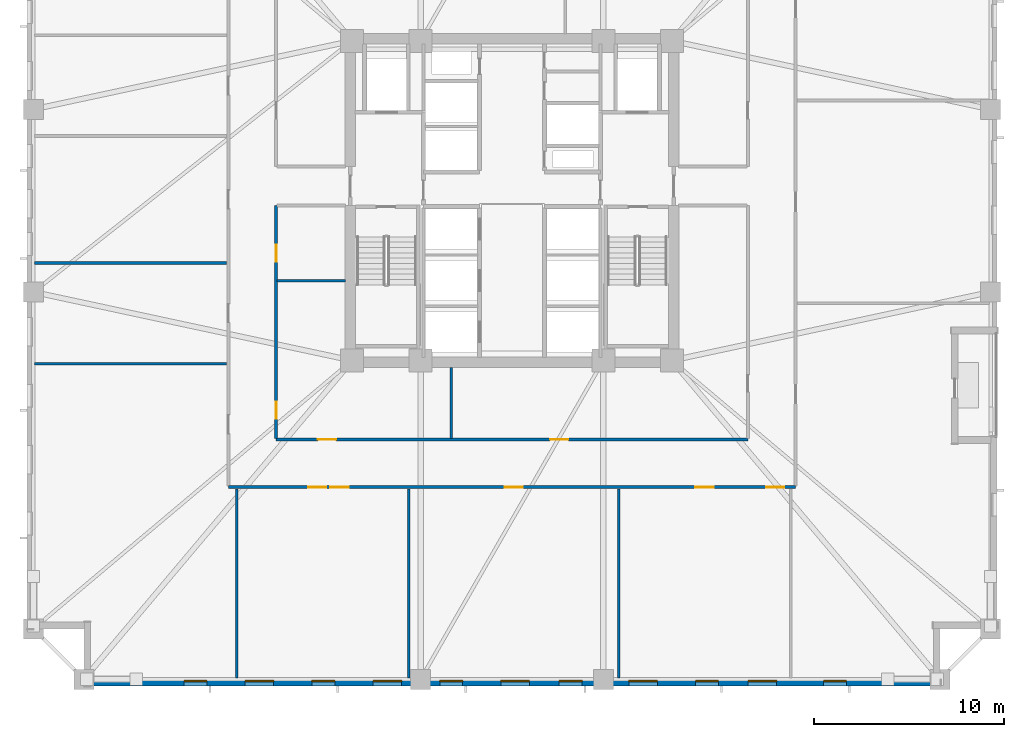
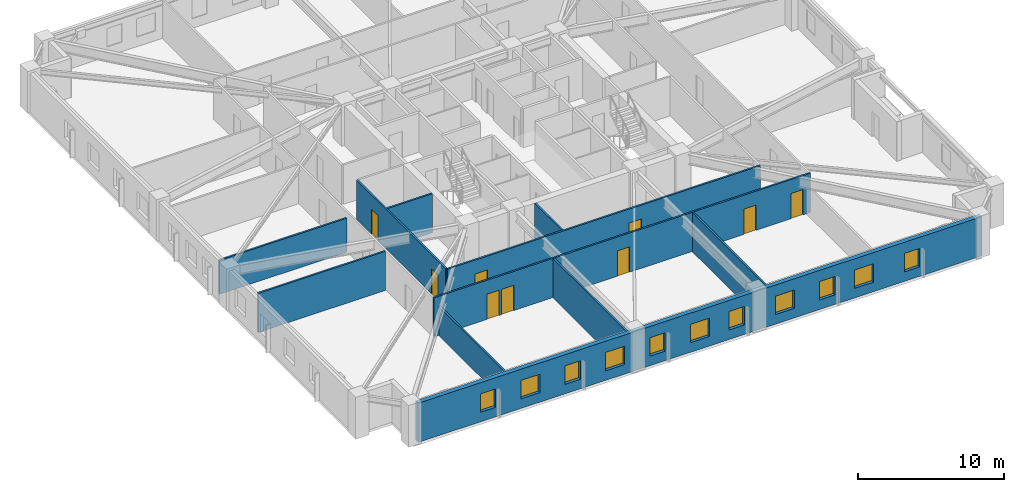
# One storey, part 2 of 11: 11 walls, 11 windows, 9 doors, 20 openings.
"""IFC4 building model written with IfcOpenShell, lengths in metres."""

from ifc_helpers import new_model, si_unit, direction, frame, frame_2d, origin, place, context, subcontext, project, spatial, rectangle, extrude, material, layer, layer_set, type_object, element, fill, save


model = new_model("IFC4")

# Units and contexts
model_context = context("Model", 3, precision=1e-05, world=origin(), true_north=direction((0.0, 1.0)))
body_context = subcontext(model_context, "Body", "Model", "MODEL_VIEW")
ifc_project = project(units=[si_unit("LENGTHUNIT", "METRE"), si_unit("AREAUNIT", "SQUARE_METRE"), si_unit("VOLUMEUNIT", "CUBIC_METRE"), si_unit("PLANEANGLEUNIT", "RADIAN"), si_unit("MASSUNIT", "GRAM", prefix="KILO")], contexts=[model_context])

# Site, building, storey
site_placement = place(None, origin())
site = spatial("IfcSite", under=ifc_project, at=site_placement, CompositionType="ELEMENT")
building_placement = place(site_placement, origin())
building = spatial("IfcBuilding", under=site, at=building_placement, Name="Cairnveth Concourse Tower", CompositionType="ELEMENT")
storey_placement = place(building_placement, frame((0.0, 0.0, 55.0)))
storey = spatial("IfcBuildingStorey", under=building, at=storey_placement, Name="L14", CompositionType="ELEMENT", Elevation=55.0)

# Wall, openings, doors
ifc_material_1 = material(Name="Gypsum Plasterboard Partition", Category="gypsum")
ifc_layer_1 = layer(ifc_material_1, 0.139892578125)
ifc_layer_set_1 = layer_set([ifc_layer_1], Name="Gypsum Plasterboard Partition")
wall_type_1 = type_object("IfcWallType", Name="GYPSUM STUD PARTITION 140", PredefinedType="PARTITIONING", material=ifc_layer_set_1)
wall_1_placement = place(storey_placement, frame((37.10009765625, 23.949951171875, 0.0), z_axis=(0.0, 0.0, 1.0), x_axis=(1.0, 0.0, 0.0)))
wall_1 = element("IfcWall", 1, at=wall_1_placement, inside=storey, type_object=wall_type_1, Name="Interior Wall IW-L14-038", PredefinedType="PARTITIONING", context=body_context, shape_type="SweptSolid", body=[
    extrude(rectangle(XDim=29.7998046875, YDim=0.139892578125, at=frame_2d((14.89990234375, 0.0))), origin(), (0.0, 0.0, 1.0), 3.280029296875),
])
opening_1_placement = place(wall_1_placement, frame((4.19140625, 0.0, 0.0)))
opening_1 = element("IfcOpeningElement", 2, at=opening_1_placement, cuts=wall_1, Name="Opening ID11", PredefinedType="OPENING", context=body_context, shape_type="SweptSolid", body=[
    extrude(rectangle(XDim=0.9599609375, YDim=2.1201171875, at=frame_2d((0.47998046875, 1.06005859375))), frame((0.0, 0.079833984375, 0.0), z_axis=(0.0, -1.0, 0.0), x_axis=(1.0, 0.0, 0.0)), (0.0, 0.0, 1.0), 0.159912109375),
])
opening_2_placement = place(wall_1_placement, frame((5.35791015625, 0.0, 0.0)))
opening_2 = element("IfcOpeningElement", 3, at=opening_2_placement, cuts=wall_1, Name="Opening ID11", PredefinedType="OPENING", context=body_context, shape_type="SweptSolid", body=[
    extrude(rectangle(XDim=0.9599609375, YDim=2.1201171875, at=frame_2d((0.47998046875, 1.06005859375))), frame((0.0, 0.079833984375, 0.0), z_axis=(0.0, -1.0, 0.0), x_axis=(1.0, 0.0, 0.0)), (0.0, 0.0, 1.0), 0.159912109375),
])
opening_3_placement = place(wall_1_placement, frame((14.510009765625, 0.0, 0.0)))
opening_3 = element("IfcOpeningElement", 4, at=opening_3_placement, cuts=wall_1, Name="Opening ID11", PredefinedType="OPENING", context=body_context, shape_type="SweptSolid", body=[
    extrude(rectangle(XDim=0.9599609375, YDim=2.1201171875, at=frame_2d((0.47998046875, 1.06005859375))), frame((0.0, 0.079833984375, 0.0), z_axis=(0.0, -1.0, 0.0), x_axis=(1.0, 0.0, 0.0)), (0.0, 0.0, 1.0), 0.159912109375),
])
opening_4_placement = place(wall_1_placement, frame((24.5419921875, 0.0, 0.0)))
opening_4 = element("IfcOpeningElement", 5, at=opening_4_placement, cuts=wall_1, Name="Opening ID11", PredefinedType="OPENING", context=body_context, shape_type="SweptSolid", body=[
    extrude(rectangle(XDim=0.9599609375, YDim=2.1201171875, at=frame_2d((0.47998046875, 1.06005859375))), frame((0.0, 0.079833984375, 0.0), z_axis=(0.0, -1.0, 0.0), x_axis=(1.0, 0.0, 0.0)), (0.0, 0.0, 1.0), 0.159912109375),
])
opening_5_placement = place(wall_1_placement, frame((28.260009765625, 0.0, 0.0)))
opening_5 = element("IfcOpeningElement", 6, at=opening_5_placement, cuts=wall_1, Name="Opening ID11", PredefinedType="OPENING", context=body_context, shape_type="SweptSolid", body=[
    extrude(rectangle(XDim=0.9599609375, YDim=2.1201171875, at=frame_2d((0.47998046875, 1.06005859375))), frame((0.0, 0.079833984375, 0.0), z_axis=(0.0, -1.0, 0.0), x_axis=(1.0, 0.0, 0.0)), (0.0, 0.0, 1.0), 0.159912109375),
])
ifc_material_2 = material(Name="Solid Core Hardwood Timber Leaf", Category="wood")
door_type_1 = type_object("IfcDoorType", Name="INTERIOR SINGLE DOOR 960X2150", OperationType="NOTDEFINED", PredefinedType="DOOR", material=ifc_material_2)
door_1_placement = place(opening_1_placement, origin())
door_1 = element("IfcDoor", 7, at=door_1_placement, inside=storey, type_object=door_type_1, Name="Office Door L14-S1", OperationType="SINGLE_SWING_LEFT", OverallHeight=2.1201171875, OverallWidth=0.9599609375, PredefinedType="DOOR", context=body_context, shape_type="SweptSolid", body=[
    extrude(rectangle(XDim=0.9599609375, YDim=2.1201171875, at=frame_2d((0.47998046875, 1.06005859375))), frame((0.0, 0.02490234375, 0.0), z_axis=(0.0, -1.0, 0.0), x_axis=(1.0, 0.0, 0.0)), (0.0, 0.0, 1.0), 0.050048828125),
])
fill(opening_1, door_1)
door_2_placement = place(opening_2_placement, origin())
door_2 = element("IfcDoor", 8, at=door_2_placement, inside=storey, type_object=door_type_1, Name="Office Door L14-S2", OperationType="SINGLE_SWING_RIGHT", OverallHeight=2.1201171875, OverallWidth=0.9599609375, PredefinedType="DOOR", context=body_context, shape_type="SweptSolid", body=[
    extrude(rectangle(XDim=0.9599609375, YDim=2.1201171875, at=frame_2d((0.47998046875, 1.06005859375))), frame((0.0, 0.02490234375, 0.0), z_axis=(0.0, -1.0, 0.0), x_axis=(1.0, 0.0, 0.0)), (0.0, 0.0, 1.0), 0.050048828125),
])
fill(opening_2, door_2)
door_3_placement = place(opening_3_placement, origin())
door_3 = element("IfcDoor", 9, at=door_3_placement, inside=storey, type_object=door_type_1, Name="Office Door L14-S3", OperationType="SINGLE_SWING_LEFT", OverallHeight=2.1201171875, OverallWidth=0.9599609375, PredefinedType="DOOR", context=body_context, shape_type="SweptSolid", body=[
    extrude(rectangle(XDim=0.9599609375, YDim=2.1201171875, at=frame_2d((0.47998046875, 1.06005859375))), frame((0.0, 0.02490234375, 0.0), z_axis=(0.0, -1.0, 0.0), x_axis=(1.0, 0.0, 0.0)), (0.0, 0.0, 1.0), 0.050048828125),
])
fill(opening_3, door_3)
door_4_placement = place(opening_4_placement, origin())
door_4 = element("IfcDoor", 10, at=door_4_placement, inside=storey, type_object=door_type_1, Name="Office Door L14-S4", OperationType="SINGLE_SWING_RIGHT", OverallHeight=2.1201171875, OverallWidth=0.9599609375, PredefinedType="DOOR", context=body_context, shape_type="SweptSolid", body=[
    extrude(rectangle(XDim=0.9599609375, YDim=2.1201171875, at=frame_2d((0.47998046875, 1.06005859375))), frame((0.0, 0.02490234375, 0.0), z_axis=(0.0, -1.0, 0.0), x_axis=(1.0, 0.0, 0.0)), (0.0, 0.0, 1.0), 0.050048828125),
])
fill(opening_4, door_4)
door_5_placement = place(opening_5_placement, origin())
door_5 = element("IfcDoor", 11, at=door_5_placement, inside=storey, type_object=door_type_1, Name="Office Door L14-S5", OperationType="SINGLE_SWING_LEFT", OverallHeight=2.1201171875, OverallWidth=0.9599609375, PredefinedType="DOOR", context=body_context, shape_type="SweptSolid", body=[
    extrude(rectangle(XDim=0.9599609375, YDim=2.1201171875, at=frame_2d((0.47998046875, 1.06005859375))), frame((0.0, 0.02490234375, 0.0), z_axis=(0.0, -1.0, 0.0), x_axis=(1.0, 0.0, 0.0)), (0.0, 0.0, 1.0), 0.050048828125),
])
fill(opening_5, door_5)

wall_2_placement = place(storey_placement, frame((39.60009765625, 26.449951171875, 0.0), z_axis=(0.0, 0.0, 1.0), x_axis=(1.0, 0.0, 0.0)))
wall_2 = element("IfcWall", 12, at=wall_2_placement, inside=storey, type_object=wall_type_1, Name="Interior Wall IW-L14-042", PredefinedType="PARTITIONING", context=body_context, shape_type="SweptSolid", body=[
    extrude(rectangle(XDim=24.7998046875, YDim=0.139892578125, at=frame_2d((12.39990234375, 0.0))), origin(), (0.0, 0.0, 1.0), 3.280029296875),
])
opening_6_placement = place(wall_2_placement, frame((2.199951171875, 0.0, 0.0)))
opening_6 = element("IfcOpeningElement", 13, at=opening_6_placement, cuts=wall_2, Name="Opening ID11", PredefinedType="OPENING", context=body_context, shape_type="SweptSolid", body=[
    extrude(rectangle(XDim=0.9599609375, YDim=2.1201171875, at=frame_2d((0.47998046875, 1.06005859375))), frame((0.0, 0.079833984375, 0.0), z_axis=(0.0, -1.0, 0.0), x_axis=(1.0, 0.0, 0.0)), (0.0, 0.0, 1.0), 0.159912109375),
])
opening_7_placement = place(wall_2_placement, frame((14.39990234375, 0.0, 0.0)))
opening_7 = element("IfcOpeningElement", 14, at=opening_7_placement, cuts=wall_2, Name="Opening ID11", PredefinedType="OPENING", context=body_context, shape_type="SweptSolid", body=[
    extrude(rectangle(XDim=0.9599609375, YDim=2.1201171875, at=frame_2d((0.47998046875, 1.06005859375))), frame((0.0, 0.079833984375, 0.0), z_axis=(0.0, -1.0, 0.0), x_axis=(1.0, 0.0, 0.0)), (0.0, 0.0, 1.0), 0.159912109375),
])
door_6_placement = place(opening_6_placement, origin())
door_6 = element("IfcDoor", 15, at=door_6_placement, inside=storey, type_object=door_type_1, Name="Interior Door DR-L14-014", OperationType="SINGLE_SWING_RIGHT", OverallHeight=2.1201171875, OverallWidth=0.9599609375, PredefinedType="DOOR", context=body_context, shape_type="SweptSolid", body=[
    extrude(rectangle(XDim=0.9599609375, YDim=2.1201171875, at=frame_2d((0.47998046875, 1.06005859375))), frame((0.0, 0.02490234375, 0.0), z_axis=(0.0, -1.0, 0.0), x_axis=(1.0, 0.0, 0.0)), (0.0, 0.0, 1.0), 0.050048828125),
])
fill(opening_6, door_6)
door_7_placement = place(opening_7_placement, origin())
door_7 = element("IfcDoor", 16, at=door_7_placement, inside=storey, type_object=door_type_1, Name="Interior Door DR-L14-015", OperationType="SINGLE_SWING_LEFT", OverallHeight=2.1201171875, OverallWidth=0.9599609375, PredefinedType="DOOR", context=body_context, shape_type="SweptSolid", body=[
    extrude(rectangle(XDim=0.9599609375, YDim=2.1201171875, at=frame_2d((0.47998046875, 1.06005859375))), frame((0.0, 0.02490234375, 0.0), z_axis=(0.0, -1.0, 0.0), x_axis=(1.0, 0.0, 0.0)), (0.0, 0.0, 1.0), 0.050048828125),
])
fill(opening_7, door_7)

wall_3_placement = place(storey_placement, frame((39.60009765625, 26.5048828125, 0.0), z_axis=(0.0, 0.0, 1.0), x_axis=(0.0, 1.0, 0.0)))
wall_3 = element("IfcWall", 17, at=wall_3_placement, inside=storey, type_object=wall_type_1, Name="Interior Wall IW-L14-044", PredefinedType="PARTITIONING", context=body_context, shape_type="SweptSolid", body=[
    extrude(rectangle(XDim=12.2451171875, YDim=0.139892578125, at=frame_2d((6.12255859375, 0.0))), origin(), (0.0, 0.0, 1.0), 3.280029296875),
])
opening_8_placement = place(wall_3_placement, frame((1.044921875, 0.0, 0.0)))
opening_8 = element("IfcOpeningElement", 18, at=opening_8_placement, cuts=wall_3, Name="Opening ID18", PredefinedType="OPENING", context=body_context, shape_type="SweptSolid", body=[
    extrude(rectangle(XDim=0.8798828125, YDim=2.10009765625, at=frame_2d((0.43994140625, 1.050048828125))), frame((0.0, 0.079833984375, 0.0), z_axis=(0.0, -1.0, 0.0), x_axis=(1.0, 0.0, 0.0)), (0.0, 0.0, 1.0), 0.159912109375),
])
opening_9_placement = place(wall_3_placement, frame((9.294921875, 0.0, 0.0)))
opening_9 = element("IfcOpeningElement", 19, at=opening_9_placement, cuts=wall_3, Name="Opening ID18", PredefinedType="OPENING", context=body_context, shape_type="SweptSolid", body=[
    extrude(rectangle(XDim=0.8798828125, YDim=2.10009765625, at=frame_2d((0.43994140625, 1.050048828125))), frame((0.0, 0.079833984375, 0.0), z_axis=(0.0, -1.0, 0.0), x_axis=(1.0, 0.0, 0.0)), (0.0, 0.0, 1.0), 0.159912109375),
])
door_type_2 = type_object("IfcDoorType", Name="INTERIOR SINGLE DOOR 880X2100", OperationType="NOTDEFINED", PredefinedType="DOOR", material=ifc_material_2)
door_8_placement = place(opening_8_placement, origin())
door_8 = element("IfcDoor", 20, at=door_8_placement, inside=storey, type_object=door_type_2, Name="Interior Door DR-L14-018", OperationType="SINGLE_SWING_RIGHT", OverallHeight=2.10009765625, OverallWidth=0.8798828125, PredefinedType="DOOR", context=body_context, shape_type="SweptSolid", body=[
    extrude(rectangle(XDim=0.8798828125, YDim=2.10009765625, at=frame_2d((0.43994140625, 1.050048828125))), frame((0.0, 0.02490234375, 0.0), z_axis=(0.0, -1.0, 0.0), x_axis=(1.0, 0.0, 0.0)), (0.0, 0.0, 1.0), 0.050048828125),
])
fill(opening_8, door_8)
door_9_placement = place(opening_9_placement, origin())
door_9 = element("IfcDoor", 21, at=door_9_placement, inside=storey, type_object=door_type_2, Name="Interior Door DR-L14-019", OperationType="SINGLE_SWING_LEFT", OverallHeight=2.10009765625, OverallWidth=0.8798828125, PredefinedType="DOOR", context=body_context, shape_type="SweptSolid", body=[
    extrude(rectangle(XDim=0.8798828125, YDim=2.10009765625, at=frame_2d((0.43994140625, 1.050048828125))), frame((0.0, 0.02490234375, 0.0), z_axis=(0.0, -1.0, 0.0), x_axis=(1.0, 0.0, 0.0)), (0.0, 0.0, 1.0), 0.050048828125),
])
fill(opening_9, door_9)

# Walls
wall_4_placement = place(storey_placement, frame((48.800048828125, 26.5048828125, 0.0), z_axis=(0.0, 0.0, 1.0), x_axis=(0.0, 1.0, 0.0)))
element("IfcWall", 22, at=wall_4_placement, inside=storey, type_object=wall_type_1, Name="Interior Wall IW-L14-052", PredefinedType="PARTITIONING", context=body_context, shape_type="SweptSolid", body=[
    extrude(rectangle(XDim=3.735107421875, YDim=0.139892578125, at=frame_2d((1.86767578125, 0.0))), origin(), (0.0, 0.0, 1.0), 3.280029296875),
])
wall_5_placement = place(storey_placement, frame((39.655029296875, 34.800048828125, 0.0), z_axis=(0.0, 0.0, 1.0), x_axis=(1.0, 0.0, 0.0)))
element("IfcWall", 23, at=wall_5_placement, inside=storey, type_object=wall_type_1, Name="Interior Wall IW-L14-054", PredefinedType="PARTITIONING", context=body_context, shape_type="SweptSolid", body=[
    extrude(rectangle(XDim=3.5849609375, YDim=0.139892578125, at=frame_2d((1.79248046875, 0.0))), origin(), (0.0, 0.0, 1.0), 3.280029296875),
])
wall_6_placement = place(storey_placement, frame((37.537109375, 13.919921875, 0.0), z_axis=(0.0, 0.0, 1.0), x_axis=(0.0, 1.0, 0.0)))
element("IfcWall", 24, at=wall_6_placement, inside=storey, type_object=wall_type_1, Name="Interior Wall IW-L14-055", PredefinedType="PARTITIONING", context=body_context, shape_type="SweptSolid", body=[
    extrude(rectangle(XDim=9.93017578125, YDim=0.139892578125, at=frame_2d((4.965087890625, 0.0))), origin(), (0.0, 0.0, 1.0), 2.43896484375),
])
for number, where, z_axis, x_axis, name in (
    (25, (46.5791015625, 13.919921875, 0.0), (0.0, 0.0, 1.0), (0.0, 1.0, 0.0), "Interior Wall IW-L14-056"),
    (26, (57.60107421875, 13.919921875, 0.0), (0.0, 0.0, 1.0), (0.0, 1.0, 0.0), "Interior Wall IW-L14-057"),
):
    element("IfcWall", number, at=place(storey_placement, frame(where, z_axis=z_axis, x_axis=x_axis)), inside=storey, type_object=wall_type_1, Name=name, PredefinedType="PARTITIONING", context=body_context, shape_type="SweptSolid", body=[
        extrude(rectangle(XDim=9.93017578125, YDim=0.139892578125, at=frame_2d((4.965087890625, 0.0))), origin(), (0.0, 0.0, 1.0), 3.280029296875),
    ])
wall_7_placement = place(storey_placement, frame((26.919921875, 30.439453125, 0.0), z_axis=(0.0, 0.0, 1.0), x_axis=(1.0, 0.0, 0.0)))
element("IfcWall", 27, at=wall_7_placement, inside=storey, type_object=wall_type_1, Name="Interior Wall IW-L14-062", PredefinedType="PARTITIONING", context=body_context, shape_type="SweptSolid", body=[
    extrude(rectangle(XDim=10.080078125, YDim=0.139892578125, at=frame_2d((5.0400390625, 0.0))), origin(), (0.0, 0.0, 1.0), 3.280029296875),
])
wall_8_placement = place(storey_placement, frame((26.919921875, 35.7265625, 0.0), z_axis=(0.0, 0.0, 1.0), x_axis=(1.0, 0.0, 0.0)))
element("IfcWall", 28, at=wall_8_placement, inside=storey, type_object=wall_type_1, Name="Interior Wall IW-L14-063", PredefinedType="PARTITIONING", context=body_context, shape_type="SweptSolid", body=[
    extrude(rectangle(XDim=10.080078125, YDim=0.139892578125, at=frame_2d((5.0400390625, 0.0))), origin(), (0.0, 0.0, 1.0), 2.84912109375),
])

# Wall, openings, windows
ifc_material_3 = material(Name="Hawthorn Red-Ochre Fired Clay Brick Masonry", Category="masonry")
ifc_layer_2 = layer(ifc_material_3, 0.360107421875)
ifc_layer_set_2 = layer_set([ifc_layer_2], Name="Hawthorn Red-Ochre Fired Clay Brick Masonry")
wall_type_2 = type_object("IfcWallType", Name="ZONE 1 BRICK PIER SPANDREL WALL 360", PredefinedType="SOLIDWALL", material=ifc_layer_set_2)
wall_9_placement = place(storey_placement, frame((74.5, 13.679931640625, 0.0), z_axis=(0.0, 0.0, 1.0), x_axis=(-1.0, 0.0, 0.0)))
wall_9 = element("IfcWall", 29, at=wall_9_placement, inside=storey, type_object=wall_type_2, Name="Exterior Wall EW-L14-S03", PredefinedType="SOLIDWALL", context=body_context, shape_type="SweptSolid", body=[
    extrude(rectangle(XDim=44.662109375, YDim=0.360107421875, at=frame_2d((22.3310546875, 0.0))), origin(), (0.0, 0.0, 1.0), 3.280029296875),
])
opening_10_placement = place(wall_9_placement, frame((4.93017578125, 0.0, 0.800048828125)))
opening_10 = element("IfcOpeningElement", 30, at=opening_10_placement, cuts=wall_9, Name="Opening W01", PredefinedType="OPENING", context=body_context, shape_type="SweptSolid", body=[
    extrude(rectangle(XDim=1.199951171875, YDim=1.5439453125, at=frame_2d((0.60009765625, 0.77197265625))), frame((0.0, 0.18994140625, 0.0), z_axis=(0.0, -1.0, 0.0), x_axis=(1.0, 0.0, 0.0)), (0.0, 0.0, 1.0), 0.380126953125),
])
opening_11_placement = place(wall_9_placement, frame((8.59033203125, 0.0, 0.800048828125)))
opening_11 = element("IfcOpeningElement", 31, at=opening_11_placement, cuts=wall_9, Name="Opening W03", PredefinedType="OPENING", context=body_context, shape_type="SweptSolid", body=[
    extrude(rectangle(XDim=1.5, YDim=1.5439453125, at=frame_2d((0.75, 0.77197265625))), frame((0.0, 0.18994140625, 0.0), z_axis=(0.0, -1.0, 0.0), x_axis=(1.0, 0.0, 0.0)), (0.0, 0.0, 1.0), 0.380126953125),
])
opening_12_placement = place(wall_9_placement, frame((11.650390625, 0.0, 0.800048828125)))
opening_12 = element("IfcOpeningElement", 32, at=opening_12_placement, cuts=wall_9, Name="Opening W01", PredefinedType="OPENING", context=body_context, shape_type="SweptSolid", body=[
    extrude(rectangle(XDim=1.199951171875, YDim=1.5439453125, at=frame_2d((0.60009765625, 0.77197265625))), frame((0.0, 0.18994140625, 0.0), z_axis=(0.0, -1.0, 0.0), x_axis=(1.0, 0.0, 0.0)), (0.0, 0.0, 1.0), 0.380126953125),
])
opening_13_placement = place(wall_9_placement, frame((14.860595703125, 0.0, 0.800048828125)))
opening_13 = element("IfcOpeningElement", 33, at=opening_13_placement, cuts=wall_9, Name="Opening W03", PredefinedType="OPENING", context=body_context, shape_type="SweptSolid", body=[
    extrude(rectangle(XDim=1.5, YDim=1.5439453125, at=frame_2d((0.75, 0.77197265625))), frame((0.0, 0.18994140625, 0.0), z_axis=(0.0, -1.0, 0.0), x_axis=(1.0, 0.0, 0.0)), (0.0, 0.0, 1.0), 0.380126953125),
])
opening_14_placement = place(wall_9_placement, frame((18.82080078125, 0.0, 0.800048828125)))
opening_14 = element("IfcOpeningElement", 34, at=opening_14_placement, cuts=wall_9, Name="Opening W01", PredefinedType="OPENING", context=body_context, shape_type="SweptSolid", body=[
    extrude(rectangle(XDim=1.199951171875, YDim=1.5439453125, at=frame_2d((0.60009765625, 0.77197265625))), frame((0.0, 0.18994140625, 0.0), z_axis=(0.0, -1.0, 0.0), x_axis=(1.0, 0.0, 0.0)), (0.0, 0.0, 1.0), 0.380126953125),
])
opening_15_placement = place(wall_9_placement, frame((21.5810546875, 0.0, 0.800048828125)))
opening_15 = element("IfcOpeningElement", 35, at=opening_15_placement, cuts=wall_9, Name="Opening W03", PredefinedType="OPENING", context=body_context, shape_type="SweptSolid", body=[
    extrude(rectangle(XDim=1.5, YDim=1.5439453125, at=frame_2d((0.75, 0.77197265625))), frame((0.0, 0.18994140625, 0.0), z_axis=(0.0, -1.0, 0.0), x_axis=(1.0, 0.0, 0.0)), (0.0, 0.0, 1.0), 0.380126953125),
])
opening_16_placement = place(wall_9_placement, frame((25.09130859375, 0.0, 0.800048828125)))
opening_16 = element("IfcOpeningElement", 36, at=opening_16_placement, cuts=wall_9, Name="Opening W01", PredefinedType="OPENING", context=body_context, shape_type="SweptSolid", body=[
    extrude(rectangle(XDim=1.199951171875, YDim=1.5439453125, at=frame_2d((0.60009765625, 0.77197265625))), frame((0.0, 0.18994140625, 0.0), z_axis=(0.0, -1.0, 0.0), x_axis=(1.0, 0.0, 0.0)), (0.0, 0.0, 1.0), 0.380126953125),
])
opening_17_placement = place(wall_9_placement, frame((28.301513671875, 0.0, 0.800048828125)))
opening_17 = element("IfcOpeningElement", 37, at=opening_17_placement, cuts=wall_9, Name="Opening W03", PredefinedType="OPENING", context=body_context, shape_type="SweptSolid", body=[
    extrude(rectangle(XDim=1.5, YDim=1.5439453125, at=frame_2d((0.75, 0.77197265625))), frame((0.0, 0.18994140625, 0.0), z_axis=(0.0, -1.0, 0.0), x_axis=(1.0, 0.0, 0.0)), (0.0, 0.0, 1.0), 0.380126953125),
])
opening_18_placement = place(wall_9_placement, frame((31.8115234375, 0.0, 0.800048828125)))
opening_18 = element("IfcOpeningElement", 38, at=opening_18_placement, cuts=wall_9, Name="Opening W01", PredefinedType="OPENING", context=body_context, shape_type="SweptSolid", body=[
    extrude(rectangle(XDim=1.199951171875, YDim=1.5439453125, at=frame_2d((0.60009765625, 0.77197265625))), frame((0.0, 0.18994140625, 0.0), z_axis=(0.0, -1.0, 0.0), x_axis=(1.0, 0.0, 0.0)), (0.0, 0.0, 1.0), 0.380126953125),
])
opening_19_placement = place(wall_9_placement, frame((35.021728515625, 0.0, 0.800048828125)))
opening_19 = element("IfcOpeningElement", 39, at=opening_19_placement, cuts=wall_9, Name="Opening W03", PredefinedType="OPENING", context=body_context, shape_type="SweptSolid", body=[
    extrude(rectangle(XDim=1.5, YDim=1.5439453125, at=frame_2d((0.75, 0.77197265625))), frame((0.0, 0.18994140625, 0.0), z_axis=(0.0, -1.0, 0.0), x_axis=(1.0, 0.0, 0.0)), (0.0, 0.0, 1.0), 0.380126953125),
])
opening_20_placement = place(wall_9_placement, frame((38.531982421875, 0.0, 0.800048828125)))
opening_20 = element("IfcOpeningElement", 40, at=opening_20_placement, cuts=wall_9, Name="Opening W01", PredefinedType="OPENING", context=body_context, shape_type="SweptSolid", body=[
    extrude(rectangle(XDim=1.199951171875, YDim=1.5439453125, at=frame_2d((0.60009765625, 0.77197265625))), frame((0.0, 0.18994140625, 0.0), z_axis=(0.0, -1.0, 0.0), x_axis=(1.0, 0.0, 0.0)), (0.0, 0.0, 1.0), 0.380126953125),
])
ifc_material_4 = material(Name="Double Glazed Low-E Clear Glass", Category="glass")
window_type_1 = type_object("IfcWindowType", Name="DEEP-SET GOTHIC LANCET WINDOW 1200X1800", PartitioningType="DOUBLE_PANEL_VERTICAL", PredefinedType="WINDOW", material=ifc_material_4)
window_1_placement = place(opening_10_placement, origin())
window_1 = element("IfcWindow", 41, at=window_1_placement, inside=storey, type_object=window_type_1, Name="Gothic Lancet Window L14-3-1", OverallHeight=1.5439453125, OverallWidth=1.199951171875, PartitioningType="SINGLE_PANEL", PredefinedType="WINDOW", context=body_context, shape_type="SweptSolid", body=[
    extrude(rectangle(XDim=1.199951171875, YDim=1.5439453125, at=frame_2d((0.60009765625, 0.77197265625))), frame((0.0, -0.050048828125, 0.0), z_axis=(0.0, -1.0, 0.0), x_axis=(1.0, 0.0, 0.0)), (0.0, 0.0, 1.0), 0.06005859375),
])
fill(opening_10, window_1)
window_2_placement = place(opening_12_placement, origin())
window_2 = element("IfcWindow", 42, at=window_2_placement, inside=storey, type_object=window_type_1, Name="Gothic Lancet Window L14-3-3", OverallHeight=1.5439453125, OverallWidth=1.199951171875, PartitioningType="SINGLE_PANEL", PredefinedType="WINDOW", context=body_context, shape_type="SweptSolid", body=[
    extrude(rectangle(XDim=1.199951171875, YDim=1.5439453125, at=frame_2d((0.60009765625, 0.77197265625))), frame((0.0, -0.050048828125, 0.0), z_axis=(0.0, -1.0, 0.0), x_axis=(1.0, 0.0, 0.0)), (0.0, 0.0, 1.0), 0.06005859375),
])
fill(opening_12, window_2)
window_3_placement = place(opening_14_placement, origin())
window_3 = element("IfcWindow", 43, at=window_3_placement, inside=storey, type_object=window_type_1, Name="Gothic Lancet Window L14-3-5", OverallHeight=1.5439453125, OverallWidth=1.199951171875, PartitioningType="SINGLE_PANEL", PredefinedType="WINDOW", context=body_context, shape_type="SweptSolid", body=[
    extrude(rectangle(XDim=1.199951171875, YDim=1.5439453125, at=frame_2d((0.60009765625, 0.77197265625))), frame((0.0, -0.050048828125, 0.0), z_axis=(0.0, -1.0, 0.0), x_axis=(1.0, 0.0, 0.0)), (0.0, 0.0, 1.0), 0.06005859375),
])
fill(opening_14, window_3)
window_4_placement = place(opening_16_placement, origin())
window_4 = element("IfcWindow", 44, at=window_4_placement, inside=storey, type_object=window_type_1, Name="Gothic Lancet Window L14-3-7", OverallHeight=1.5439453125, OverallWidth=1.199951171875, PartitioningType="SINGLE_PANEL", PredefinedType="WINDOW", context=body_context, shape_type="SweptSolid", body=[
    extrude(rectangle(XDim=1.199951171875, YDim=1.5439453125, at=frame_2d((0.60009765625, 0.77197265625))), frame((0.0, -0.050048828125, 0.0), z_axis=(0.0, -1.0, 0.0), x_axis=(1.0, 0.0, 0.0)), (0.0, 0.0, 1.0), 0.06005859375),
])
fill(opening_16, window_4)
window_5_placement = place(opening_18_placement, origin())
window_5 = element("IfcWindow", 45, at=window_5_placement, inside=storey, type_object=window_type_1, Name="Gothic Lancet Window L14-3-9", OverallHeight=1.5439453125, OverallWidth=1.199951171875, PartitioningType="SINGLE_PANEL", PredefinedType="WINDOW", context=body_context, shape_type="SweptSolid", body=[
    extrude(rectangle(XDim=1.199951171875, YDim=1.5439453125, at=frame_2d((0.60009765625, 0.77197265625))), frame((0.0, -0.050048828125, 0.0), z_axis=(0.0, -1.0, 0.0), x_axis=(1.0, 0.0, 0.0)), (0.0, 0.0, 1.0), 0.06005859375),
])
fill(opening_18, window_5)
window_6_placement = place(opening_20_placement, origin())
window_6 = element("IfcWindow", 46, at=window_6_placement, inside=storey, type_object=window_type_1, Name="Gothic Lancet Window L14-3-11", OverallHeight=1.5439453125, OverallWidth=1.199951171875, PartitioningType="SINGLE_PANEL", PredefinedType="WINDOW", context=body_context, shape_type="SweptSolid", body=[
    extrude(rectangle(XDim=1.199951171875, YDim=1.5439453125, at=frame_2d((0.60009765625, 0.77197265625))), frame((0.0, -0.050048828125, 0.0), z_axis=(0.0, -1.0, 0.0), x_axis=(1.0, 0.0, 0.0)), (0.0, 0.0, 1.0), 0.06005859375),
])
fill(opening_20, window_6)
window_type_2 = type_object("IfcWindowType", Name="DEEP-SET GOTHIC LANCET WINDOW 1500X1800", PartitioningType="DOUBLE_PANEL_VERTICAL", PredefinedType="WINDOW", material=ifc_material_4)
window_7_placement = place(opening_11_placement, origin())
window_7 = element("IfcWindow", 47, at=window_7_placement, inside=storey, type_object=window_type_2, Name="Gothic Lancet Window L14-3-2", OverallHeight=1.5439453125, OverallWidth=1.5, PartitioningType="SINGLE_PANEL", PredefinedType="WINDOW", context=body_context, shape_type="SweptSolid", body=[
    extrude(rectangle(XDim=1.5, YDim=1.5439453125, at=frame_2d((0.75, 0.77197265625))), frame((0.0, -0.050048828125, 0.0), z_axis=(0.0, -1.0, 0.0), x_axis=(1.0, 0.0, 0.0)), (0.0, 0.0, 1.0), 0.06005859375),
])
fill(opening_11, window_7)
window_8_placement = place(opening_13_placement, origin())
window_8 = element("IfcWindow", 48, at=window_8_placement, inside=storey, type_object=window_type_2, Name="Gothic Lancet Window L14-3-4", OverallHeight=1.5439453125, OverallWidth=1.5, PartitioningType="SINGLE_PANEL", PredefinedType="WINDOW", context=body_context, shape_type="SweptSolid", body=[
    extrude(rectangle(XDim=1.5, YDim=1.5439453125, at=frame_2d((0.75, 0.77197265625))), frame((0.0, -0.050048828125, 0.0), z_axis=(0.0, -1.0, 0.0), x_axis=(1.0, 0.0, 0.0)), (0.0, 0.0, 1.0), 0.06005859375),
])
fill(opening_13, window_8)
window_9_placement = place(opening_15_placement, origin())
window_9 = element("IfcWindow", 49, at=window_9_placement, inside=storey, type_object=window_type_2, Name="Gothic Lancet Window L14-3-6", OverallHeight=1.5439453125, OverallWidth=1.5, PartitioningType="SINGLE_PANEL", PredefinedType="WINDOW", context=body_context, shape_type="SweptSolid", body=[
    extrude(rectangle(XDim=1.5, YDim=1.5439453125, at=frame_2d((0.75, 0.77197265625))), frame((0.0, -0.050048828125, 0.0), z_axis=(0.0, -1.0, 0.0), x_axis=(1.0, 0.0, 0.0)), (0.0, 0.0, 1.0), 0.06005859375),
])
fill(opening_15, window_9)
window_10_placement = place(opening_17_placement, origin())
window_10 = element("IfcWindow", 50, at=window_10_placement, inside=storey, type_object=window_type_2, Name="Gothic Lancet Window L14-3-8", OverallHeight=1.5439453125, OverallWidth=1.5, PartitioningType="SINGLE_PANEL", PredefinedType="WINDOW", context=body_context, shape_type="SweptSolid", body=[
    extrude(rectangle(XDim=1.5, YDim=1.5439453125, at=frame_2d((0.75, 0.77197265625))), frame((0.0, -0.050048828125, 0.0), z_axis=(0.0, -1.0, 0.0), x_axis=(1.0, 0.0, 0.0)), (0.0, 0.0, 1.0), 0.06005859375),
])
fill(opening_17, window_10)
window_11_placement = place(opening_19_placement, origin())
window_11 = element("IfcWindow", 51, at=window_11_placement, inside=storey, type_object=window_type_2, Name="Gothic Lancet Window L14-3-10", OverallHeight=1.5439453125, OverallWidth=1.5, PartitioningType="SINGLE_PANEL", PredefinedType="WINDOW", context=body_context, shape_type="SweptSolid", body=[
    extrude(rectangle(XDim=1.5, YDim=1.5439453125, at=frame_2d((0.75, 0.77197265625))), frame((0.0, -0.050048828125, 0.0), z_axis=(0.0, -1.0, 0.0), x_axis=(1.0, 0.0, 0.0)), (0.0, 0.0, 1.0), 0.06005859375),
])
fill(opening_19, window_11)

save(model, "model.ifc")
